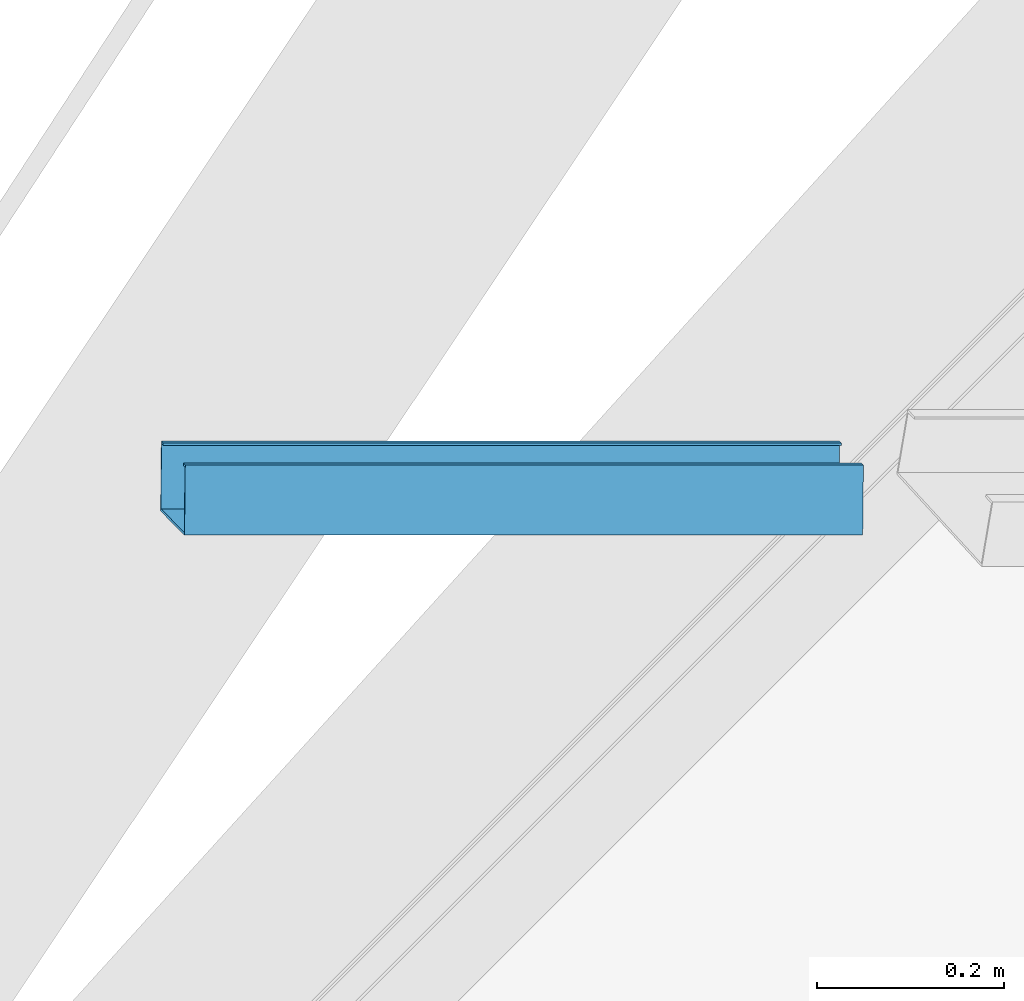
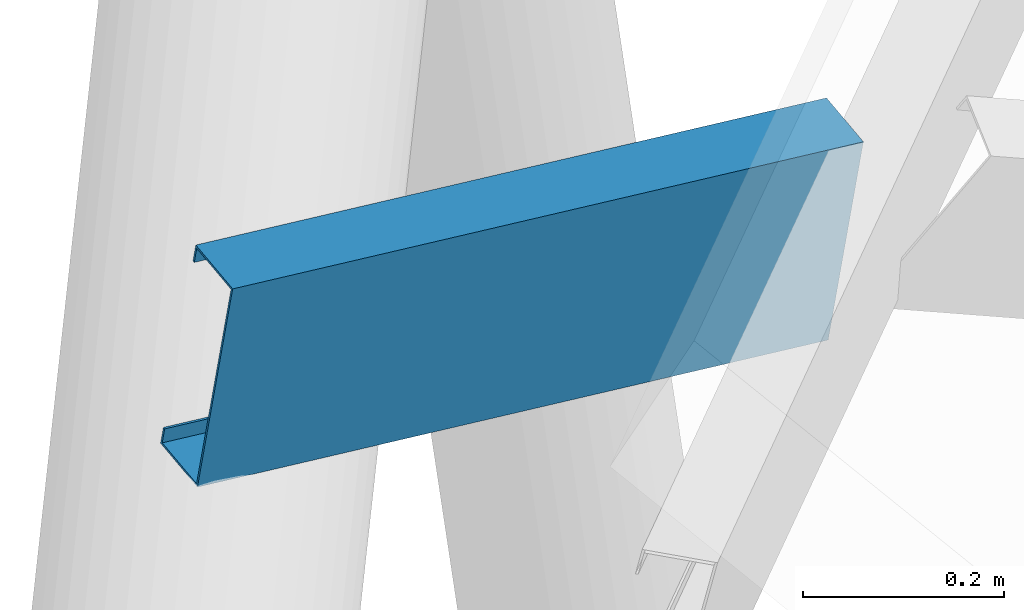
# One storey, part 236 of 437: 1 member.
"""IFC4 building model written with IfcOpenShell, lengths in metres."""

from ifc_helpers import new_model, si_unit, direction, frame, origin, place, context, subcontext, project, spatial, polyline, outline, extrude, material, material_profile, profile_set, type_object, element, save


model = new_model("IFC4")

# Units and contexts
model_context = context("Model", 3, precision=1e-05, world=origin(), true_north=direction((0.0, 1.0)))
body_context = subcontext(model_context, "Body", "Model", "MODEL_VIEW")
ifc_project = project(units=[si_unit("LENGTHUNIT", "METRE"), si_unit("AREAUNIT", "SQUARE_METRE"), si_unit("VOLUMEUNIT", "CUBIC_METRE"), si_unit("PLANEANGLEUNIT", "RADIAN"), si_unit("MASSUNIT", "GRAM", prefix="KILO")], contexts=[model_context])

# Site, building, storey
site_placement = place(None, origin())
site = spatial("IfcSite", under=ifc_project, at=site_placement, CompositionType="ELEMENT")
building_placement = place(site_placement, origin())
building = spatial("IfcBuilding", under=site, at=building_placement, Name="Opaline Strait Convention Centre", CompositionType="ELEMENT")
storey_placement = place(building_placement, frame((0.0, 0.0, 11.5)))
storey = spatial("IfcBuildingStorey", under=building, at=storey_placement, Name="L02", CompositionType="ELEMENT", Elevation=11.5)

# Member
ifc_material = material(Name="Steel Q355B", Category="steel")
ifc_material_profile = material_profile(ifc_material, outline(polyline([(-0.03759765625, -0.125), (0.03759765625, -0.125), (0.03759765625, -0.10498046875), (0.034912109375, -0.10498046875), (0.034912109375, -0.12255859375), (-0.034912109375, -0.12255859375), (-0.034912109375, 0.12255859375), (0.034912109375, 0.12255859375), (0.034912109375, 0.10498046875), (0.03759765625, 0.10498046875), (0.03759765625, 0.125), (-0.03759765625, 0.125), (-0.03759765625, -0.125)])), Name="C 250x75x20x2.5")
ifc_profile_set = profile_set([ifc_material_profile], Name="Steel Q355B")
member_type = type_object("IfcMemberType", Name="Roof purlin C 250x75x20x2.5", PredefinedType="PURLIN", material=ifc_profile_set)
member_placement = place(storey_placement, frame((88.0869140625, 160.5, 25.06640625), z_axis=(0.994689427087, 0.0, -0.102922027002), x_axis=(0.010597484213, 0.994684861285, 0.1024193344)))
element("IfcMember", 1, at=member_placement, inside=storey, type_object=member_type, Name="EXB-RF-P-0-13-0b", PredefinedType="PURLIN", context=body_context, shape_type="SweptSolid", body=[
    extrude(outline(polyline([(-0.03759765625, -0.125), (0.03759765625, -0.125), (0.03759765625, -0.10498046875), (0.034912109375, -0.10498046875), (0.034912109375, -0.12255859375), (-0.034912109375, -0.12255859375), (-0.034912109375, 0.12255859375), (0.034912109375, 0.12255859375), (0.034912109375, 0.10498046875), (0.03759765625, 0.10498046875), (0.03759765625, 0.125), (-0.03759765625, 0.125), (-0.03759765625, -0.125)])), origin(), (0.0, 0.0, 1.0), 0.728271484375),
])

save(model, "model.ifc")
